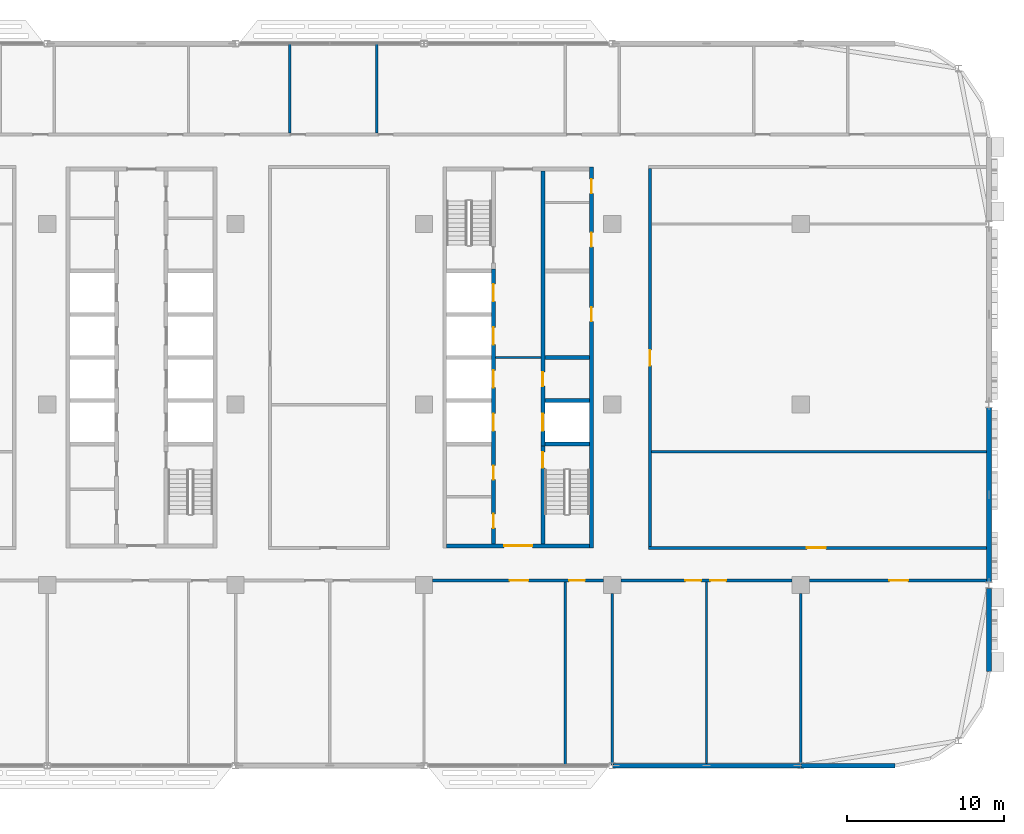
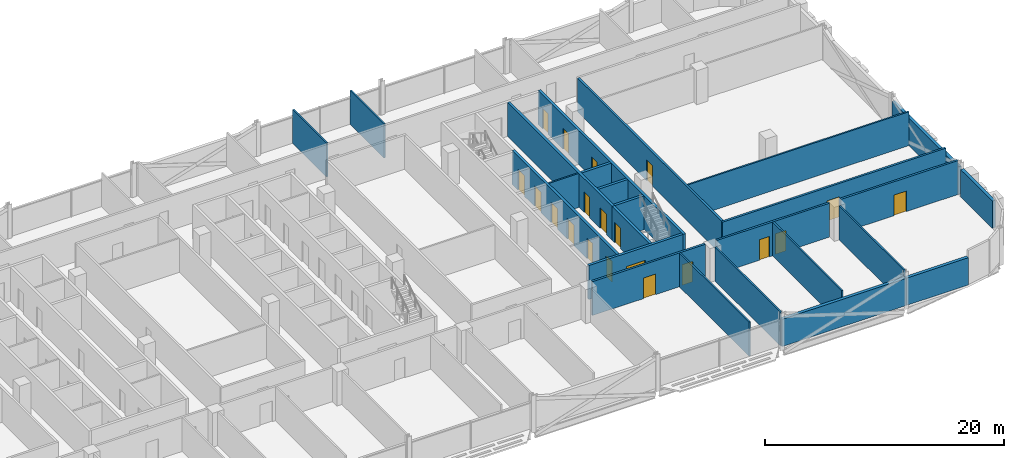
# One storey, part 17 of 29: 25 walls, 20 doors, 20 openings.
"""IFC4 building model written with IfcOpenShell, lengths in metres."""

import ifcopenshell
import ifcopenshell.guid

model = None  # the IFC model being written
_history = None  # IfcOwnerHistory: only IFC2X3 demands one
_inside = {}  # id of a spatial element -> (the spatial element, [elements in it])
_under = {}  # id of a project, library or spatial element -> (it, [spatial elements below it])
_declared = {}  # id of a project -> (the project, [libraries it declares])
_typed = {}  # id of a type object -> (the type object, [elements of that type])
_made_of = {}  # id of a material, layer set ... -> (it, [elements and type objects made of it])


def new_model(schema):
    """Start an empty IFC model of exactly this schema.

    Asked for "IFC4X3", IfcOpenShell would pick the latest addendum, in which some entities
    have other attributes; the version numbers below select the first issue.
    IFC2X3 requires an IfcOwnerHistory on every rooted entity: one is made here for all.
    """
    global model, _history
    if schema == "IFC4X3":
        model = ifcopenshell.file(schema_version=(4, 3, 0, 0))
    else:
        model = ifcopenshell.file(schema=schema)
    _inside.clear()
    _under.clear()
    _declared.clear()
    _typed.clear()
    _made_of.clear()
    _history = None
    if model.schema == "IFC2X3":
        org = make("IfcOrganization", Name="unknown")
        user = make(
            "IfcPersonAndOrganization",
            ThePerson=make("IfcPerson", FamilyName="unknown"),
            TheOrganization=org,
        )
        app = make(
            "IfcApplication",
            ApplicationDeveloper=org,
            Version="unknown",
            ApplicationFullName="unknown",
            ApplicationIdentifier="unknown",
        )
        _history = make(
            "IfcOwnerHistory",
            OwningUser=user,
            OwningApplication=app,
            ChangeAction="ADDED",
            CreationDate=0,
        )
    return model


def make(cls, **values):
    """One entity of the class cls with the attributes given. An attribute that is None is left unset."""
    return model.create_entity(
        cls, **{name: value for name, value in values.items() if value is not None}
    )


def rooted(cls, **values):
    """An entity with a GlobalId (a new one), such as an element, a storey or a relation."""
    return make(cls, GlobalId=ifcopenshell.guid.new(), OwnerHistory=_history, **values)


def si_unit(unit_type, name, prefix=None):
    """IfcSIUnit, for example si_unit("LENGTHUNIT", "METRE", prefix="MILLI")."""
    return make("IfcSIUnit", UnitType=unit_type, Prefix=prefix, Name=name)


def assignment(units):
    """IfcUnitAssignment: the units of a project."""
    return None if units is None else make("IfcUnitAssignment", Units=units)


def point(xyz):
    """IfcCartesianPoint."""
    return None if xyz is None else make("IfcCartesianPoint", Coordinates=xyz)


def direction(xyz):
    """IfcDirection."""
    return None if xyz is None else make("IfcDirection", DirectionRatios=xyz)


def frame(location, z_axis=None, x_axis=None):
    """IfcAxis2Placement3D, a coordinate frame: its origin and axes. An axis left out is left unset."""
    return make(
        "IfcAxis2Placement3D",
        Location=point(location),
        Axis=direction(z_axis),
        RefDirection=direction(x_axis),
    )


def frame_2d(location, x_axis=None):
    """IfcAxis2Placement2D, a coordinate frame in the plane: its origin and x axis."""
    return make(
        "IfcAxis2Placement2D", Location=point(location), RefDirection=direction(x_axis)
    )


def origin():
    """The frame at (0, 0, 0) with its axes left unset."""
    return frame((0.0, 0.0, 0.0))


def place(relative_to, where):
    """IfcLocalPlacement: puts the frame where relative to a parent placement (None: the world)."""
    return make(
        "IfcLocalPlacement", PlacementRelTo=relative_to, RelativePlacement=where
    )


def context(
    kind, dimensions, precision=None, world=None, true_north=None, identifier=None
):
    """IfcGeometricRepresentationContext, for example the 3D "Model" context."""
    return make(
        "IfcGeometricRepresentationContext",
        ContextIdentifier=identifier,
        ContextType=kind,
        CoordinateSpaceDimension=dimensions,
        Precision=precision,
        WorldCoordinateSystem=world,
        TrueNorth=true_north,
    )


def subcontext(parent, identifier, kind, view, scale=None):
    """IfcGeometricRepresentationSubContext, for example "Body" below "Model"."""
    return make(
        "IfcGeometricRepresentationSubContext",
        ContextIdentifier=identifier,
        ContextType=kind,
        ParentContext=parent,
        TargetScale=scale,
        TargetView=view,
    )


def project(units=None, contexts=None):
    """IfcProject with its units and contexts."""
    return rooted(
        "IfcProject",
        Name="project",
        RepresentationContexts=contexts,
        UnitsInContext=assignment(units),
    )


def spatial(cls, under=None, at=None, **own):
    """A site, building, storey or space (cls), placed at a placement, below another one or the project."""
    s = rooted(cls, ObjectPlacement=at, **own)
    if under is not None:
        _under.setdefault(under.id(), (under, []))[1].append(s)
    return s


def profile(cls, at=None, kind="AREA", **sizes):
    """A parametric profile (cls). Its sizes go by their IFC names, for example OverallWidth=200.0."""
    return make(cls, ProfileType=kind, Position=at, **sizes)


def rectangle(**sizes):
    """IfcRectangleProfileDef."""
    return profile("IfcRectangleProfileDef", **sizes)


def extrude(swept, where, along, depth):
    """IfcExtrudedAreaSolid: the profile swept, set in the frame where, extruded along a direction by depth."""
    return make(
        "IfcExtrudedAreaSolid",
        SweptArea=swept,
        Position=where,
        ExtrudedDirection=direction(along),
        Depth=depth,
    )


def shape(context_of_items, identifier, shape_type, items):
    """IfcShapeRepresentation: the items that make up one representation, for example the "Body"."""
    return make(
        "IfcShapeRepresentation",
        ContextOfItems=context_of_items,
        RepresentationIdentifier=identifier,
        RepresentationType=shape_type,
        Items=items,
    )


def material(Name=None, Category=None):
    """IfcMaterial."""
    return make("IfcMaterial", Name=Name, Category=Category)


def layer(
    of_material, thickness, ventilated=None, Name=None, Category=None, Priority=None
):
    """IfcMaterialLayer: one layer of a wall or slab, of a material (None: an air gap)."""
    return make(
        "IfcMaterialLayer",
        Material=of_material,
        LayerThickness=thickness,
        IsVentilated=ventilated,
        Name=Name,
        Category=Category,
        Priority=Priority,
    )


def layer_set(layers, Name=None):
    """IfcMaterialLayerSet."""
    return make("IfcMaterialLayerSet", MaterialLayers=layers, LayerSetName=Name)


def made_of(thing, what):
    """Note that an element or type object is made of a material, layer set ...; save() writes the relation."""
    if what is not None:
        _made_of.setdefault(what.id(), (what, []))[1].append(thing)
    return thing


def type_object(cls, material=None, **own):
    """A type object (cls), such as IfcWallType, which elements share."""
    return made_of(rooted(cls, **own), material)


def element(
    cls,
    number,
    at=None,
    inside=None,
    cuts=None,
    type_object=None,
    material=None,
    context=None,
    identifier="Body",
    shape_type=None,
    held_by="IfcProductDefinitionShape",
    body=None,
    shapes=None,
    **own,
):
    """One element of the class cls, such as IfcWall. Its Tag is "e" and its number.

    at: its placement. inside: the storey or other place that contains it. cuts: it is an
    opening in that element (IfcRelVoidsElement). A single representation is given by context,
    identifier, shape_type and body (its items); several are given by shapes. held_by: the class
    of the entity that holds the representations. save() writes the other relations.
    """
    e = rooted(cls, Tag="e%d" % number, ObjectPlacement=at, **own)
    if body is not None:
        shapes = [shape(context, identifier, shape_type, body)]
    if shapes is not None:
        e.Representation = make(held_by, Representations=shapes)
    if inside is not None:
        _inside.setdefault(inside.id(), (inside, []))[1].append(e)
    if cuts is not None:
        rooted(
            "IfcRelVoidsElement", RelatingBuildingElement=cuts, RelatedOpeningElement=e
        )
    if type_object is not None:
        _typed.setdefault(type_object.id(), (type_object, []))[1].append(e)
    return made_of(e, material)


def fill(opening, filler):
    """IfcRelFillsElement: the door or window that sits in an opening."""
    return rooted(
        "IfcRelFillsElement",
        RelatingOpeningElement=opening,
        RelatedBuildingElement=filler,
    )


def aggregate(whole, parts):
    """IfcRelAggregates: a whole, such as a stair, and the parts it consists of."""
    return rooted("IfcRelAggregates", RelatingObject=whole, RelatedObjects=parts)


def save(model, path):
    """Write the relations noted so far, then the file.

    IfcRelAggregates (storeys below a building ...), IfcRelContainedInSpatialStructure (elements
    in a storey), IfcRelDefinesByType, IfcRelAssociatesMaterial and IfcRelDeclares: one each for
    every whole, place, type object, material and project.
    """
    for whole, parts in _under.values():
        aggregate(whole, parts)
    for where, things in _inside.values():
        rooted(
            "IfcRelContainedInSpatialStructure",
            RelatedElements=things,
            RelatingStructure=where,
        )
    for kind, things in _typed.values():
        rooted("IfcRelDefinesByType", RelatedObjects=things, RelatingType=kind)
    for what, things in _made_of.values():
        rooted("IfcRelAssociatesMaterial", RelatedObjects=things, RelatingMaterial=what)
    for by, libraries in _declared.values():
        rooted("IfcRelDeclares", RelatingContext=by, RelatedDefinitions=libraries)
    model.write(path)


model = new_model("IFC4")

# Units and contexts
model_context = context("Model", 3, precision=1e-05, world=origin(), true_north=direction((0.0, 1.0)))
body_context = subcontext(model_context, "Body", "Model", "MODEL_VIEW")
ifc_project = project(units=[si_unit("LENGTHUNIT", "METRE"), si_unit("AREAUNIT", "SQUARE_METRE"), si_unit("VOLUMEUNIT", "CUBIC_METRE"), si_unit("PLANEANGLEUNIT", "RADIAN"), si_unit("MASSUNIT", "GRAM", prefix="KILO")], contexts=[model_context])

# Site, building, storey
site_placement = place(None, origin())
site = spatial("IfcSite", under=ifc_project, at=site_placement, CompositionType="ELEMENT")
building_placement = place(site_placement, origin())
building = spatial("IfcBuilding", under=site, at=building_placement, Name="Mahtab Terrace Research Tower", CompositionType="ELEMENT")
storey_placement = place(building_placement, frame((0.0, 0.0, 197.699951171875)))
storey = spatial("IfcBuildingStorey", under=building, at=storey_placement, Name="L47", CompositionType="ELEMENT", Elevation=197.699951171875)

# Wall
ifc_material_1 = material(Name="Gypsum board partition")
ifc_layer_1 = layer(ifc_material_1, 0.14990234375)
ifc_layer_set_1 = layer_set([ifc_layer_1], Name="Core partition 150")
wall_type_1 = type_object("IfcWallType", Name="Core partition 150", PredefinedType="PARTITIONING", material=ifc_layer_set_1)
wall_1_placement = place(storey_placement, frame((22.550048828125, 3.0, 0.0), z_axis=(0.0, 0.0, 1.0), x_axis=(1.0, 0.0, 0.0)))
element("IfcWall", 1, at=wall_1_placement, inside=storey, type_object=wall_type_1, Name="Core wall C ffl", PredefinedType="PARTITIONING", context=body_context, shape_type="SweptSolid", body=[
    extrude(rectangle(XDim=2.89990234375, YDim=0.14990234375, at=frame_2d((1.449951171875, 0.0))), origin(), (0.0, 0.0, 1.0), 3.4599609375),
])

# Wall, openings, doors
ifc_material_2 = material(Name="Concrete C70/85", Category="concrete")
ifc_layer_2 = layer(ifc_material_2, 0.25)
ifc_layer_set_2 = layer_set([ifc_layer_2], Name="Core wall 250")
wall_type_2 = type_object("IfcWallType", Name="Core wall 250", PredefinedType="SOLIDWALL", material=ifc_layer_set_2)
wall_2_placement = place(storey_placement, frame((28.675048828125, -9.125, 0.0), z_axis=(0.0, 0.0, 1.0), x_axis=(0.0, 1.0, 0.0)))
wall_2 = element("IfcWall", 2, at=wall_2_placement, inside=storey, type_object=wall_type_2, Name="Core wall C outerE", PredefinedType="SOLIDWALL", context=body_context, shape_type="SweptSolid", body=[
    extrude(rectangle(XDim=24.25, YDim=0.25, at=frame_2d((12.125, 0.0))), origin(), (0.0, 0.0, 1.0), 3.4599609375),
])
opening_1_placement = place(wall_2_placement, frame((14.425048828125, 0.0, 0.0)))
opening_1 = element("IfcOpeningElement", 3, at=opening_1_placement, cuts=wall_2, Name="Opening C-R2", PredefinedType="OPENING", context=body_context, shape_type="SweptSolid", body=[
    extrude(rectangle(XDim=0.89990234375, YDim=2.10009765625, at=frame_2d((0.449951171875, 1.050048828125))), frame((0.0, 0.135009765625, 0.0), z_axis=(0.0, -1.0, 0.0), x_axis=(1.0, 0.0, 0.0)), (0.0, 0.0, 1.0), 0.27001953125),
])
opening_2_placement = place(wall_2_placement, frame((19.175048828125, 0.0, 0.0)))
opening_2 = element("IfcOpeningElement", 4, at=opening_2_placement, cuts=wall_2, Name="Opening C-R5", PredefinedType="OPENING", context=body_context, shape_type="SweptSolid", body=[
    extrude(rectangle(XDim=0.89990234375, YDim=2.10009765625, at=frame_2d((0.449951171875, 1.050048828125))), frame((0.0, 0.135009765625, 0.0), z_axis=(0.0, -1.0, 0.0), x_axis=(1.0, 0.0, 0.0)), (0.0, 0.0, 1.0), 0.27001953125),
])
opening_3_placement = place(wall_2_placement, frame((22.58740234375, 0.0, 0.0)))
opening_3 = element("IfcOpeningElement", 5, at=opening_3_placement, cuts=wall_2, Name="Opening C-R6", PredefinedType="OPENING", context=body_context, shape_type="SweptSolid", body=[
    extrude(rectangle(XDim=0.89990234375, YDim=2.10009765625, at=frame_2d((0.449951171875, 1.050048828125))), frame((0.0, 0.135009765625, 0.0), z_axis=(0.0, -1.0, 0.0), x_axis=(1.0, 0.0, 0.0)), (0.0, 0.0, 1.0), 0.27001953125),
])
ifc_material_3 = material(Name="Steel fire door", Category="steel")
door_type_1 = type_object("IfcDoorType", Name="Room door 900x2100 1 HR", OperationType="NOTDEFINED", PredefinedType="DOOR", material=ifc_material_3)
door_1_placement = place(opening_1_placement, origin())
door_1 = element("IfcDoor", 6, at=door_1_placement, inside=storey, type_object=door_type_1, Name="Plant room door", OperationType="SINGLE_SWING_RIGHT", OverallHeight=2.10009765625, OverallWidth=0.89990234375, PredefinedType="DOOR", context=body_context, shape_type="SweptSolid", body=[
    extrude(rectangle(XDim=0.89990234375, YDim=2.10009765625, at=frame_2d((0.449951171875, 1.050048828125))), frame((0.0, 0.02490234375, 0.0), z_axis=(0.0, -1.0, 0.0), x_axis=(1.0, 0.0, 0.0)), (0.0, 0.0, 1.0), 0.050048828125),
])
fill(opening_1, door_1)
door_2_placement = place(opening_2_placement, origin())
door_2 = element("IfcDoor", 7, at=door_2_placement, inside=storey, type_object=door_type_1, Name="IT equipment room door", OperationType="SINGLE_SWING_LEFT", OverallHeight=2.10009765625, OverallWidth=0.89990234375, PredefinedType="DOOR", context=body_context, shape_type="SweptSolid", body=[
    extrude(rectangle(XDim=0.89990234375, YDim=2.10009765625, at=frame_2d((0.449951171875, 1.050048828125))), frame((0.0, 0.02490234375, 0.0), z_axis=(0.0, -1.0, 0.0), x_axis=(1.0, 0.0, 0.0)), (0.0, 0.0, 1.0), 0.050048828125),
])
fill(opening_2, door_2)
door_3_placement = place(opening_3_placement, origin())
door_3 = element("IfcDoor", 8, at=door_3_placement, inside=storey, type_object=door_type_1, Name="Electrical riser room door", OperationType="SINGLE_SWING_RIGHT", OverallHeight=2.10009765625, OverallWidth=0.89990234375, PredefinedType="DOOR", context=body_context, shape_type="SweptSolid", body=[
    extrude(rectangle(XDim=0.89990234375, YDim=2.10009765625, at=frame_2d((0.449951171875, 1.050048828125))), frame((0.0, 0.02490234375, 0.0), z_axis=(0.0, -1.0, 0.0), x_axis=(1.0, 0.0, 0.0)), (0.0, 0.0, 1.0), 0.050048828125),
])
fill(opening_3, door_3)

# Wall, opening, door
wall_3_placement = place(storey_placement, frame((28.550048828125, -9.0, 0.0), z_axis=(0.0, 0.0, 1.0), x_axis=(-1.0, 0.0, 0.0)))
wall_3 = element("IfcWall", 9, at=wall_3_placement, inside=storey, type_object=wall_type_2, Name="Core wall C endS", PredefinedType="SOLIDWALL", context=body_context, shape_type="SweptSolid", body=[
    extrude(rectangle(XDim=9.10009765625, YDim=0.25, at=frame_2d((4.550048828125, 0.0))), origin(), (0.0, 0.0, 1.0), 3.4599609375),
])
opening_4_placement = place(wall_3_placement, frame((3.64990234375, 0.0, 0.0)))
opening_4 = element("IfcOpeningElement", 10, at=opening_4_placement, cuts=wall_3, Name="Opening C-S1", PredefinedType="OPENING", context=body_context, shape_type="SweptSolid", body=[
    extrude(rectangle(XDim=1.800048828125, YDim=2.10009765625, at=frame_2d((0.89990234375, 1.050048828125))), frame((0.0, 0.135009765625, 0.0), z_axis=(0.0, -1.0, 0.0), x_axis=(1.0, 0.0, 0.0)), (0.0, 0.0, 1.0), 0.27001953125),
])
door_type_2 = type_object("IfcDoorType", Name="Lobby double door 1800x2100 1 HR", OperationType="DOUBLE_DOOR_SINGLE_SWING", PredefinedType="DOOR", material=ifc_material_3)
door_4_placement = place(opening_4_placement, origin())
door_4 = element("IfcDoor", 11, at=door_4_placement, inside=storey, type_object=door_type_2, Name="Core entrance door C S", OperationType="DOUBLE_DOOR_SINGLE_SWING", OverallHeight=2.10009765625, OverallWidth=1.800048828125, PredefinedType="DOOR", context=body_context, shape_type="SweptSolid", body=[
    extrude(rectangle(XDim=1.800048828125, YDim=2.10009765625, at=frame_2d((0.89990234375, 1.050048828125))), frame((0.0, 0.02490234375, 0.0), z_axis=(0.0, -1.0, 0.0), x_axis=(1.0, 0.0, 0.0)), (0.0, 0.0, 1.0), 0.050048828125),
])
fill(opening_4, door_4)

# Wall, openings, doors
wall_4_placement = place(storey_placement, frame((22.425048828125, -8.875, 0.0), z_axis=(0.0, 0.0, 1.0), x_axis=(0.0, 1.0, 0.0)))
wall_4 = element("IfcWall", 12, at=wall_4_placement, inside=storey, type_object=wall_type_2, Name="Core wall C innerWSL", PredefinedType="SOLIDWALL", context=body_context, shape_type="SweptSolid", body=[
    extrude(rectangle(XDim=17.5, YDim=0.25, at=frame_2d((8.75, 0.0))), origin(), (0.0, 0.0, 1.0), 3.4599609375),
])
opening_5_placement = place(wall_4_placement, frame((7.199951171875, 0.0, 0.0)))
opening_5 = element("IfcOpeningElement", 13, at=opening_5_placement, cuts=wall_4, Name="Opening LD17-L47", PredefinedType="OPENING", context=body_context, shape_type="SweptSolid", body=[
    extrude(rectangle(XDim=1.10009765625, YDim=2.10009765625, at=frame_2d((0.550048828125, 1.050048828125))), frame((0.0, 0.135009765625, 0.0), z_axis=(0.0, -1.0, 0.0), x_axis=(1.0, 0.0, 0.0)), (0.0, 0.0, 1.0), 0.27001953125),
])
opening_6_placement = place(wall_4_placement, frame((9.949951171875, 0.0, 0.0)))
opening_6 = element("IfcOpeningElement", 14, at=opening_6_placement, cuts=wall_4, Name="Opening LD18-L47", PredefinedType="OPENING", context=body_context, shape_type="SweptSolid", body=[
    extrude(rectangle(XDim=1.10009765625, YDim=2.10009765625, at=frame_2d((0.550048828125, 1.050048828125))), frame((0.0, 0.135009765625, 0.0), z_axis=(0.0, -1.0, 0.0), x_axis=(1.0, 0.0, 0.0)), (0.0, 0.0, 1.0), 0.27001953125),
])
opening_7_placement = place(wall_4_placement, frame((12.699951171875, 0.0, 0.0)))
opening_7 = element("IfcOpeningElement", 15, at=opening_7_placement, cuts=wall_4, Name="Opening LD19-L47", PredefinedType="OPENING", context=body_context, shape_type="SweptSolid", body=[
    extrude(rectangle(XDim=1.10009765625, YDim=2.10009765625, at=frame_2d((0.550048828125, 1.050048828125))), frame((0.0, 0.135009765625, 0.0), z_axis=(0.0, -1.0, 0.0), x_axis=(1.0, 0.0, 0.0)), (0.0, 0.0, 1.0), 0.27001953125),
])
opening_8_placement = place(wall_4_placement, frame((15.449951171875, 0.0, 0.0)))
opening_8 = element("IfcOpeningElement", 16, at=opening_8_placement, cuts=wall_4, Name="Opening LD20-L47", PredefinedType="OPENING", context=body_context, shape_type="SweptSolid", body=[
    extrude(rectangle(XDim=1.10009765625, YDim=2.10009765625, at=frame_2d((0.550048828125, 1.050048828125))), frame((0.0, 0.135009765625, 0.0), z_axis=(0.0, -1.0, 0.0), x_axis=(1.0, 0.0, 0.0)), (0.0, 0.0, 1.0), 0.27001953125),
])
opening_9_placement = place(wall_4_placement, frame((1.012451171875, 0.0, 0.0)))
opening_9 = element("IfcOpeningElement", 17, at=opening_9_placement, cuts=wall_4, Name="Opening C-R3", PredefinedType="OPENING", context=body_context, shape_type="SweptSolid", body=[
    extrude(rectangle(XDim=0.89990234375, YDim=2.10009765625, at=frame_2d((0.449951171875, 1.050048828125))), frame((0.0, 0.135009765625, 0.0), z_axis=(0.0, -1.0, 0.0), x_axis=(1.0, 0.0, 0.0)), (0.0, 0.0, 1.0), 0.27001953125),
])
opening_10_placement = place(wall_4_placement, frame((4.08740234375, 0.0, 0.0)))
opening_10 = element("IfcOpeningElement", 18, at=opening_10_placement, cuts=wall_4, Name="Opening C-R4", PredefinedType="OPENING", context=body_context, shape_type="SweptSolid", body=[
    extrude(rectangle(XDim=0.89990234375, YDim=2.10009765625, at=frame_2d((0.449951171875, 1.050048828125))), frame((0.0, 0.135009765625, 0.0), z_axis=(0.0, -1.0, 0.0), x_axis=(1.0, 0.0, 0.0)), (0.0, 0.0, 1.0), 0.27001953125),
])
ifc_material_4 = material(Name="Stainless steel AISI 304", Category="steel")
door_type_3 = type_object("IfcDoorType", Name="Landing door 1100x2100", OperationType="DOUBLE_DOOR_SLIDING", PredefinedType="DOOR", material=ifc_material_4)
door_5_placement = place(opening_5_placement, origin())
door_5 = element("IfcDoor", 19, at=door_5_placement, inside=storey, type_object=door_type_3, Name="Landing door SV1 L47", OperationType="DOUBLE_DOOR_SLIDING", OverallHeight=2.10009765625, OverallWidth=1.10009765625, PredefinedType="DOOR", context=body_context, shape_type="SweptSolid", body=[
    extrude(rectangle(XDim=1.10009765625, YDim=2.10009765625, at=frame_2d((0.550048828125, 1.050048828125))), frame((0.0, 0.02490234375, 0.0), z_axis=(0.0, -1.0, 0.0), x_axis=(1.0, 0.0, 0.0)), (0.0, 0.0, 1.0), 0.050048828125),
])
fill(opening_5, door_5)
door_6_placement = place(opening_6_placement, origin())
door_6 = element("IfcDoor", 20, at=door_6_placement, inside=storey, type_object=door_type_3, Name="Landing door SV2 L47", OperationType="DOUBLE_DOOR_SLIDING", OverallHeight=2.10009765625, OverallWidth=1.10009765625, PredefinedType="DOOR", context=body_context, shape_type="SweptSolid", body=[
    extrude(rectangle(XDim=1.10009765625, YDim=2.10009765625, at=frame_2d((0.550048828125, 1.050048828125))), frame((0.0, 0.02490234375, 0.0), z_axis=(0.0, -1.0, 0.0), x_axis=(1.0, 0.0, 0.0)), (0.0, 0.0, 1.0), 0.050048828125),
])
fill(opening_6, door_6)
door_7_placement = place(opening_7_placement, origin())
door_7 = element("IfcDoor", 21, at=door_7_placement, inside=storey, type_object=door_type_3, Name="Landing door FF1 L47", OperationType="DOUBLE_DOOR_SLIDING", OverallHeight=2.10009765625, OverallWidth=1.10009765625, PredefinedType="DOOR", context=body_context, shape_type="SweptSolid", body=[
    extrude(rectangle(XDim=1.10009765625, YDim=2.10009765625, at=frame_2d((0.550048828125, 1.050048828125))), frame((0.0, 0.02490234375, 0.0), z_axis=(0.0, -1.0, 0.0), x_axis=(1.0, 0.0, 0.0)), (0.0, 0.0, 1.0), 0.050048828125),
])
fill(opening_7, door_7)
door_8_placement = place(opening_8_placement, origin())
door_8 = element("IfcDoor", 22, at=door_8_placement, inside=storey, type_object=door_type_3, Name="Landing door FF2 L47", OperationType="DOUBLE_DOOR_SLIDING", OverallHeight=2.10009765625, OverallWidth=1.10009765625, PredefinedType="DOOR", context=body_context, shape_type="SweptSolid", body=[
    extrude(rectangle(XDim=1.10009765625, YDim=2.10009765625, at=frame_2d((0.550048828125, 1.050048828125))), frame((0.0, 0.02490234375, 0.0), z_axis=(0.0, -1.0, 0.0), x_axis=(1.0, 0.0, 0.0)), (0.0, 0.0, 1.0), 0.050048828125),
])
fill(opening_8, door_8)
door_9_placement = place(opening_9_placement, origin())
door_9 = element("IfcDoor", 23, at=door_9_placement, inside=storey, type_object=door_type_1, Name="Staff WC door", OperationType="SINGLE_SWING_LEFT", OverallHeight=2.10009765625, OverallWidth=0.89990234375, PredefinedType="DOOR", context=body_context, shape_type="SweptSolid", body=[
    extrude(rectangle(XDim=0.89990234375, YDim=2.10009765625, at=frame_2d((0.449951171875, 1.050048828125))), frame((0.0, 0.02490234375, 0.0), z_axis=(0.0, -1.0, 0.0), x_axis=(1.0, 0.0, 0.0)), (0.0, 0.0, 1.0), 0.050048828125),
])
fill(opening_9, door_9)
door_10_placement = place(opening_10_placement, origin())
door_10 = element("IfcDoor", 24, at=door_10_placement, inside=storey, type_object=door_type_1, Name="Accessible WC door", OperationType="SINGLE_SWING_RIGHT", OverallHeight=2.10009765625, OverallWidth=0.89990234375, PredefinedType="DOOR", context=body_context, shape_type="SweptSolid", body=[
    extrude(rectangle(XDim=0.89990234375, YDim=2.10009765625, at=frame_2d((0.449951171875, 1.050048828125))), frame((0.0, 0.02490234375, 0.0), z_axis=(0.0, -1.0, 0.0), x_axis=(1.0, 0.0, 0.0)), (0.0, 0.0, 1.0), 0.050048828125),
])
fill(opening_10, door_10)

# Wall, opening, door
wall_5_placement = place(storey_placement, frame((25.574951171875, -8.875, 0.0), z_axis=(0.0, 0.0, 1.0), x_axis=(0.0, 1.0, 0.0)))
wall_5 = element("IfcWall", 25, at=wall_5_placement, inside=storey, type_object=wall_type_2, Name="Core wall C innerES", PredefinedType="SOLIDWALL", context=body_context, shape_type="SweptSolid", body=[
    extrude(rectangle(XDim=6.25, YDim=0.25, at=frame_2d((3.125, 0.0))), origin(), (0.0, 0.0, 1.0), 3.4599609375),
])
opening_11_placement = place(wall_5_placement, frame((4.85009765625, 0.0, 0.0)))
opening_11 = element("IfcOpeningElement", 26, at=opening_11_placement, cuts=wall_5, Name="Opening C-ST4", PredefinedType="OPENING", context=body_context, shape_type="SweptSolid", body=[
    extrude(rectangle(XDim=1.0, YDim=2.10009765625, at=frame_2d((0.5, 1.050048828125))), frame((0.0, 0.135009765625, 0.0), z_axis=(0.0, -1.0, 0.0), x_axis=(1.0, 0.0, 0.0)), (0.0, 0.0, 1.0), 0.27001953125),
])
door_type_4 = type_object("IfcDoorType", Name="Stair door 1000x2100 1.5 HR", OperationType="NOTDEFINED", PredefinedType="DOOR", material=ifc_material_3)
door_11_placement = place(opening_11_placement, origin())
door_11 = element("IfcDoor", 27, at=door_11_placement, inside=storey, type_object=door_type_4, Name="Stair door ST4 L47", OperationType="SINGLE_SWING_RIGHT", OverallHeight=2.10009765625, OverallWidth=1.0, PredefinedType="DOOR", context=body_context, shape_type="SweptSolid", body=[
    extrude(rectangle(XDim=1.0, YDim=2.10009765625, at=frame_2d((0.5, 1.050048828125))), frame((0.0, 0.02490234375, 0.0), z_axis=(0.0, -1.0, 0.0), x_axis=(1.0, 0.0, 0.0)), (0.0, 0.0, 1.0), 0.050048828125),
])
fill(opening_11, door_11)

# Wall, openings, doors
wall_6_placement = place(storey_placement, frame((25.574951171875, 14.875, 0.0), z_axis=(0.0, 0.0, 1.0), x_axis=(0.0, -1.0, 0.0)))
wall_6 = element("IfcWall", 28, at=wall_6_placement, inside=storey, type_object=wall_type_2, Name="Core wall C innerELN", PredefinedType="SOLIDWALL", context=body_context, shape_type="SweptSolid", body=[
    extrude(rectangle(XDim=17.5, YDim=0.25, at=frame_2d((8.75, 0.0))), origin(), (0.0, 0.0, 1.0), 3.4599609375),
])
opening_12_placement = place(wall_6_placement, frame((15.449951171875, 0.0, 0.0)))
opening_12 = element("IfcOpeningElement", 29, at=opening_12_placement, cuts=wall_6, Name="Opening LD21-L47", PredefinedType="OPENING", context=body_context, shape_type="SweptSolid", body=[
    extrude(rectangle(XDim=1.10009765625, YDim=2.10009765625, at=frame_2d((0.550048828125, 1.050048828125))), frame((0.0, 0.135009765625, 0.0), z_axis=(0.0, -1.0, 0.0), x_axis=(1.0, 0.0, 0.0)), (0.0, 0.0, 1.0), 0.27001953125),
])
opening_13_placement = place(wall_6_placement, frame((12.800048828125, 0.0, 0.0)))
opening_13 = element("IfcOpeningElement", 30, at=opening_13_placement, cuts=wall_6, Name="Opening C-R1", PredefinedType="OPENING", context=body_context, shape_type="SweptSolid", body=[
    extrude(rectangle(XDim=0.89990234375, YDim=2.10009765625, at=frame_2d((0.449951171875, 1.050048828125))), frame((0.0, 0.135009765625, 0.0), z_axis=(0.0, -1.0, 0.0), x_axis=(1.0, 0.0, 0.0)), (0.0, 0.0, 1.0), 0.27001953125),
])
door_12_placement = place(opening_12_placement, origin())
door_12 = element("IfcDoor", 31, at=door_12_placement, inside=storey, type_object=door_type_3, Name="Landing door SV3 L47", OperationType="DOUBLE_DOOR_SLIDING", OverallHeight=2.10009765625, OverallWidth=1.10009765625, PredefinedType="DOOR", context=body_context, shape_type="SweptSolid", body=[
    extrude(rectangle(XDim=1.10009765625, YDim=2.10009765625, at=frame_2d((0.550048828125, 1.050048828125))), frame((0.0, 0.02490234375, 0.0), z_axis=(0.0, -1.0, 0.0), x_axis=(1.0, 0.0, 0.0)), (0.0, 0.0, 1.0), 0.050048828125),
])
fill(opening_12, door_12)
door_13_placement = place(opening_13_placement, origin())
door_13 = element("IfcDoor", 32, at=door_13_placement, inside=storey, type_object=door_type_1, Name="Plant room door", OperationType="SINGLE_SWING_LEFT", OverallHeight=2.10009765625, OverallWidth=0.89990234375, PredefinedType="DOOR", context=body_context, shape_type="SweptSolid", body=[
    extrude(rectangle(XDim=0.89990234375, YDim=2.10009765625, at=frame_2d((0.449951171875, 1.050048828125))), frame((0.0, 0.02490234375, 0.0), z_axis=(0.0, -1.0, 0.0), x_axis=(1.0, 0.0, 0.0)), (0.0, 0.0, 1.0), 0.050048828125),
])
fill(opening_13, door_13)

# Walls
for number, where, z_axis, x_axis, name in (
    (33, (25.699951171875, -2.5, 0.0), (0.0, 0.0, 1.0), (1.0, 0.0, 0.0), "Core wall C divE0"),
    (34, (25.699951171875, 0.25, 0.0), (0.0, 0.0, 1.0), (1.0, 0.0, 0.0), "Core wall C divE1"),
    (35, (25.699951171875, 3.0, 0.0), (0.0, 0.0, 1.0), (1.0, 0.0, 0.0), "Core wall C divE2"),
):
    element("IfcWall", number, at=place(storey_placement, frame(where, z_axis=z_axis, x_axis=x_axis)), inside=storey, type_object=wall_type_2, Name=name, PredefinedType="SOLIDWALL", context=body_context, shape_type="SweptSolid", body=[
        extrude(rectangle(XDim=2.85009765625, YDim=0.25, at=frame_2d((1.425048828125, 0.0))), origin(), (0.0, 0.0, 1.0), 3.4599609375),
    ])
ifc_material_5 = material(Name="Black aluminium cladding panel", Category="aluminium")
ifc_layer_3 = layer(ifc_material_5, 0.300048828125)
ifc_layer_set_3 = layer_set([ifc_layer_3], Name="Opaque facade wall 300")
wall_type_3 = type_object("IfcWallType", Name="Opaque facade wall 300", PredefinedType="NOTDEFINED", material=ifc_layer_set_3)
wall_7_placement = place(storey_placement, frame((30.012451171875, -23.0, 0.0), z_axis=(0.0, 0.0, 1.0), x_axis=(1.0, 0.0, 0.0)))
element("IfcWall", 36, at=wall_7_placement, inside=storey, type_object=wall_type_3, Name="Opaque facade wall L47 S29", PredefinedType="NOTDEFINED", context=body_context, shape_type="SweptSolid", body=[
    extrude(rectangle(XDim=11.97509765625, YDim=0.300048828125, at=frame_2d((5.987548828125, 0.0))), origin(), (0.0, 0.0, 1.0), 2.78173828125),
])
wall_8_placement = place(storey_placement, frame((42.012451171875, -23.0, 0.0), z_axis=(0.0, 0.0, 1.0), x_axis=(1.0, 0.0, 0.0)))
element("IfcWall", 37, at=wall_8_placement, inside=storey, type_object=wall_type_3, Name="Opaque facade wall L47 S30", PredefinedType="NOTDEFINED", context=body_context, shape_type="SweptSolid", body=[
    extrude(rectangle(XDim=5.987548828125, YDim=0.300048828125, at=frame_2d((2.99365234375, 0.0))), origin(), (0.0, 0.0, 1.0), 2.78173828125),
])
wall_9_placement = place(storey_placement, frame((54.0, -17.0, 0.0), z_axis=(0.0, 0.0, 1.0), x_axis=(0.0, 1.0, 0.0)))
element("IfcWall", 38, at=wall_9_placement, inside=storey, type_object=wall_type_3, Name="Opaque facade wall L47 E35", PredefinedType="NOTDEFINED", context=body_context, shape_type="SweptSolid", body=[
    extrude(rectangle(XDim=5.300048828125, YDim=0.300048828125, at=frame_2d((2.64990234375, 0.0))), origin(), (0.0, 0.0, 1.0), 2.78173828125),
])
wall_10_placement = place(storey_placement, frame((54.0, -11.300048828125, 0.0), z_axis=(0.0, 0.0, 1.0), x_axis=(0.0, 1.0, 0.0)))
element("IfcWall", 39, at=wall_10_placement, inside=storey, type_object=wall_type_3, Name="Opaque facade wall L47 E36", PredefinedType="NOTDEFINED", context=body_context, shape_type="SweptSolid", body=[
    extrude(rectangle(XDim=11.10009765625, YDim=0.300048828125, at=frame_2d((5.550048828125, 0.0))), origin(), (0.0, 0.0, 1.0), 2.78173828125),
])

# Wall, openings, doors
ifc_material_6 = material(Name="Gypsum board corridor wall on steel studs", Category="steel")
ifc_layer_4 = layer(ifc_material_6, 0.199951171875)
ifc_layer_set_4 = layer_set([ifc_layer_4], Name="WALL CORRIDOR 200")
wall_type_4 = type_object("IfcWallType", Name="WALL CORRIDOR 200", PredefinedType="PARTITIONING", material=ifc_layer_set_4)
wall_11_placement = place(storey_placement, frame((18.550048828125, -11.199951171875, 0.0), z_axis=(0.0, 0.0, 1.0), x_axis=(1.0, 0.0, 0.0)))
wall_11 = element("IfcWall", 40, at=wall_11_placement, inside=storey, type_object=wall_type_4, Name="L47-W006", PredefinedType="PARTITIONING", context=body_context, shape_type="SweptSolid", body=[
    extrude(rectangle(XDim=10.89990234375, YDim=0.199951171875, at=frame_2d((5.449951171875, 0.0))), origin(), (0.0, 0.0, 1.0), 3.4599609375),
])
opening_14_placement = place(wall_11_placement, frame((4.89990234375, 0.0, 0.0)))
opening_14 = element("IfcOpeningElement", 41, at=opening_14_placement, cuts=wall_11, Name="Opening L47-111", PredefinedType="OPENING", context=body_context, shape_type="SweptSolid", body=[
    extrude(rectangle(XDim=1.199951171875, YDim=2.10009765625, at=frame_2d((0.60009765625, 1.050048828125))), frame((0.0, 0.10986328125, 0.0), z_axis=(0.0, -1.0, 0.0), x_axis=(1.0, 0.0, 0.0)), (0.0, 0.0, 1.0), 0.219970703125),
])
opening_15_placement = place(wall_11_placement, frame((8.699951171875, 0.0, 0.0)))
opening_15 = element("IfcOpeningElement", 42, at=opening_15_placement, cuts=wall_11, Name="Opening L47-112", PredefinedType="OPENING", context=body_context, shape_type="SweptSolid", body=[
    extrude(rectangle(XDim=1.0, YDim=2.10009765625, at=frame_2d((0.5, 1.050048828125))), frame((0.0, 0.10986328125, 0.0), z_axis=(0.0, -1.0, 0.0), x_axis=(1.0, 0.0, 0.0)), (0.0, 0.0, 1.0), 0.219970703125),
])
ifc_material_7 = material(Name="Timber door leaf in steel frame", Category="steel")
door_type_5 = type_object("IfcDoorType", Name="DOOR 1000X2100 FD30S", OperationType="SINGLE_SWING_LEFT", PredefinedType="DOOR", material=ifc_material_7)
door_14_placement = place(opening_15_placement, origin())
door_14 = element("IfcDoor", 43, at=door_14_placement, inside=storey, type_object=door_type_5, Name="Door L47-112", OperationType="SINGLE_SWING_LEFT", OverallHeight=2.10009765625, OverallWidth=1.0, PredefinedType="DOOR", context=body_context, shape_type="SweptSolid", body=[
    extrude(rectangle(XDim=1.0, YDim=2.10009765625, at=frame_2d((0.5, 1.050048828125))), frame((0.0, 0.02490234375, 0.0), z_axis=(0.0, -1.0, 0.0), x_axis=(1.0, 0.0, 0.0)), (0.0, 0.0, 1.0), 0.050048828125),
])
fill(opening_15, door_14)
door_type_6 = type_object("IfcDoorType", Name="DOOR 1200X2100 FD30S", OperationType="SINGLE_SWING_LEFT", PredefinedType="DOOR", material=ifc_material_7)
door_15_placement = place(opening_14_placement, origin())
door_15 = element("IfcDoor", 44, at=door_15_placement, inside=storey, type_object=door_type_6, Name="Door L47-111", OperationType="SINGLE_SWING_LEFT", OverallHeight=2.10009765625, OverallWidth=1.199951171875, PredefinedType="DOOR", context=body_context, shape_type="SweptSolid", body=[
    extrude(rectangle(XDim=1.199951171875, YDim=2.10009765625, at=frame_2d((0.60009765625, 1.050048828125))), frame((0.0, 0.02490234375, 0.0), z_axis=(0.0, -1.0, 0.0), x_axis=(1.0, 0.0, 0.0)), (0.0, 0.0, 1.0), 0.050048828125),
])
fill(opening_14, door_15)

wall_12_placement = place(storey_placement, frame((30.550048828125, -11.199951171875, 0.0), z_axis=(0.0, 0.0, 1.0), x_axis=(1.0, 0.0, 0.0)))
wall_12 = element("IfcWall", 45, at=wall_12_placement, inside=storey, type_object=wall_type_4, Name="L47-W007", PredefinedType="PARTITIONING", context=body_context, shape_type="SweptSolid", body=[
    extrude(rectangle(XDim=10.89990234375, YDim=0.199951171875, at=frame_2d((5.449951171875, 0.0))), origin(), (0.0, 0.0, 1.0), 3.4599609375),
])
opening_16_placement = place(wall_12_placement, frame((4.10009765625, 0.0, 0.0)))
opening_16 = element("IfcOpeningElement", 46, at=opening_16_placement, cuts=wall_12, Name="Opening L47-113", PredefinedType="OPENING", context=body_context, shape_type="SweptSolid", body=[
    extrude(rectangle(XDim=1.0, YDim=2.10009765625, at=frame_2d((0.5, 1.050048828125))), frame((0.0, 0.10986328125, 0.0), z_axis=(0.0, -1.0, 0.0), x_axis=(1.0, 0.0, 0.0)), (0.0, 0.0, 1.0), 0.219970703125),
])
opening_17_placement = place(wall_12_placement, frame((5.699951171875, 0.0, 0.0)))
opening_17 = element("IfcOpeningElement", 47, at=opening_17_placement, cuts=wall_12, Name="Opening L47-114", PredefinedType="OPENING", context=body_context, shape_type="SweptSolid", body=[
    extrude(rectangle(XDim=1.0, YDim=2.10009765625, at=frame_2d((0.5, 1.050048828125))), frame((0.0, 0.10986328125, 0.0), z_axis=(0.0, -1.0, 0.0), x_axis=(1.0, 0.0, 0.0)), (0.0, 0.0, 1.0), 0.219970703125),
])
door_16_placement = place(opening_16_placement, origin())
door_16 = element("IfcDoor", 48, at=door_16_placement, inside=storey, type_object=door_type_5, Name="Door L47-113", OperationType="SINGLE_SWING_RIGHT", OverallHeight=2.10009765625, OverallWidth=1.0, PredefinedType="DOOR", context=body_context, shape_type="SweptSolid", body=[
    extrude(rectangle(XDim=1.0, YDim=2.10009765625, at=frame_2d((0.5, 1.050048828125))), frame((0.0, 0.02490234375, 0.0), z_axis=(0.0, -1.0, 0.0), x_axis=(1.0, 0.0, 0.0)), (0.0, 0.0, 1.0), 0.050048828125),
])
fill(opening_16, door_16)
door_17_placement = place(opening_17_placement, origin())
door_17 = element("IfcDoor", 49, at=door_17_placement, inside=storey, type_object=door_type_5, Name="Door L47-114", OperationType="SINGLE_SWING_LEFT", OverallHeight=2.10009765625, OverallWidth=1.0, PredefinedType="DOOR", context=body_context, shape_type="SweptSolid", body=[
    extrude(rectangle(XDim=1.0, YDim=2.10009765625, at=frame_2d((0.5, 1.050048828125))), frame((0.0, 0.02490234375, 0.0), z_axis=(0.0, -1.0, 0.0), x_axis=(1.0, 0.0, 0.0)), (0.0, 0.0, 1.0), 0.050048828125),
])
fill(opening_17, door_17)

# Wall, opening, door
wall_13_placement = place(storey_placement, frame((42.550048828125, -11.199951171875, 0.0), z_axis=(0.0, 0.0, 1.0), x_axis=(1.0, 0.0, 0.0)))
wall_13 = element("IfcWall", 50, at=wall_13_placement, inside=storey, type_object=wall_type_4, Name="L47-W008", PredefinedType="PARTITIONING", context=body_context, shape_type="SweptSolid", body=[
    extrude(rectangle(XDim=11.300048828125, YDim=0.199951171875, at=frame_2d((5.64990234375, 0.0))), origin(), (0.0, 0.0, 1.0), 3.4599609375),
])
opening_18_placement = place(wall_13_placement, frame((5.10009765625, 0.0, 0.0)))
opening_18 = element("IfcOpeningElement", 51, at=opening_18_placement, cuts=wall_13, Name="Opening L47-115", PredefinedType="OPENING", context=body_context, shape_type="SweptSolid", body=[
    extrude(rectangle(XDim=1.199951171875, YDim=2.10009765625, at=frame_2d((0.60009765625, 1.050048828125))), frame((0.0, 0.10986328125, 0.0), z_axis=(0.0, -1.0, 0.0), x_axis=(1.0, 0.0, 0.0)), (0.0, 0.0, 1.0), 0.219970703125),
])
door_18_placement = place(opening_18_placement, origin())
door_18 = element("IfcDoor", 52, at=door_18_placement, inside=storey, type_object=door_type_6, Name="Door L47-115", OperationType="SINGLE_SWING_LEFT", OverallHeight=2.10009765625, OverallWidth=1.199951171875, PredefinedType="DOOR", context=body_context, shape_type="SweptSolid", body=[
    extrude(rectangle(XDim=1.199951171875, YDim=2.10009765625, at=frame_2d((0.60009765625, 1.050048828125))), frame((0.0, 0.02490234375, 0.0), z_axis=(0.0, -1.0, 0.0), x_axis=(1.0, 0.0, 0.0)), (0.0, 0.0, 1.0), 0.050048828125),
])
fill(opening_18, door_18)

wall_14_placement = place(storey_placement, frame((32.300048828125, -9.125, 0.0), z_axis=(0.0, 0.0, 1.0), x_axis=(1.0, 0.0, 0.0)))
wall_14 = element("IfcWall", 53, at=wall_14_placement, inside=storey, type_object=wall_type_4, Name="L47-W012", PredefinedType="PARTITIONING", context=body_context, shape_type="SweptSolid", body=[
    extrude(rectangle(XDim=21.550048828125, YDim=0.199951171875, at=frame_2d((10.77490234375, 0.0))), origin(), (0.0, 0.0, 1.0), 3.4599609375),
])
opening_19_placement = place(wall_14_placement, frame((10.10009765625, 0.0, 0.0)))
opening_19 = element("IfcOpeningElement", 54, at=opening_19_placement, cuts=wall_14, Name="Opening L47-117", PredefinedType="OPENING", context=body_context, shape_type="SweptSolid", body=[
    extrude(rectangle(XDim=1.199951171875, YDim=2.10009765625, at=frame_2d((0.60009765625, 1.050048828125))), frame((0.0, 0.10986328125, 0.0), z_axis=(0.0, -1.0, 0.0), x_axis=(1.0, 0.0, 0.0)), (0.0, 0.0, 1.0), 0.219970703125),
])
door_19_placement = place(opening_19_placement, origin())
door_19 = element("IfcDoor", 55, at=door_19_placement, inside=storey, type_object=door_type_6, Name="Door L47-117", OperationType="SINGLE_SWING_LEFT", OverallHeight=2.10009765625, OverallWidth=1.199951171875, PredefinedType="DOOR", context=body_context, shape_type="SweptSolid", body=[
    extrude(rectangle(XDim=1.199951171875, YDim=2.10009765625, at=frame_2d((0.60009765625, 1.050048828125))), frame((0.0, 0.02490234375, 0.0), z_axis=(0.0, -1.0, 0.0), x_axis=(1.0, 0.0, 0.0)), (0.0, 0.0, 1.0), 0.050048828125),
])
fill(opening_19, door_19)

wall_15_placement = place(storey_placement, frame((32.39990234375, -9.02490234375, 0.0), z_axis=(0.0, 0.0, 1.0), x_axis=(0.0, 1.0, 0.0)))
wall_15 = element("IfcWall", 56, at=wall_15_placement, inside=storey, type_object=wall_type_4, Name="L47-W052", PredefinedType="PARTITIONING", context=body_context, shape_type="SweptSolid", body=[
    extrude(rectangle(XDim=24.0498046875, YDim=0.199951171875, at=frame_2d((12.02490234375, 0.0))), origin(), (0.0, 0.0, 1.0), 3.4599609375),
])
opening_20_placement = place(wall_15_placement, frame((11.5, 0.0, 0.0)))
opening_20 = element("IfcOpeningElement", 57, at=opening_20_placement, cuts=wall_15, Name="Opening L47-121", PredefinedType="OPENING", context=body_context, shape_type="SweptSolid", body=[
    extrude(rectangle(XDim=1.0, YDim=2.10009765625, at=frame_2d((0.5, 1.050048828125))), frame((0.0, 0.10986328125, 0.0), z_axis=(0.0, -1.0, 0.0), x_axis=(1.0, 0.0, 0.0)), (0.0, 0.0, 1.0), 0.219970703125),
])
door_20_placement = place(opening_20_placement, origin())
door_20 = element("IfcDoor", 58, at=door_20_placement, inside=storey, type_object=door_type_5, Name="Door L47-121", OperationType="SINGLE_SWING_RIGHT", OverallHeight=2.10009765625, OverallWidth=1.0, PredefinedType="DOOR", context=body_context, shape_type="SweptSolid", body=[
    extrude(rectangle(XDim=1.0, YDim=2.10009765625, at=frame_2d((0.5, 1.050048828125))), frame((0.0, 0.02490234375, 0.0), z_axis=(0.0, -1.0, 0.0), x_axis=(1.0, 0.0, 0.0)), (0.0, 0.0, 1.0), 0.050048828125),
])
fill(opening_20, door_20)

# Walls
ifc_material_8 = material(Name="Gypsum board partition on steel studs", Category="steel")
ifc_layer_5 = layer(ifc_material_8, 0.14990234375)
ifc_layer_set_5 = layer_set([ifc_layer_5], Name="WALL PARTITION 150")
wall_type_5 = type_object("IfcWallType", Name="WALL PARTITION 150", PredefinedType="PARTITIONING", material=ifc_layer_set_5)
wall_16_placement = place(storey_placement, frame((32.5, -3.0, 0.0), z_axis=(0.0, 0.0, 1.0), x_axis=(1.0, 0.0, 0.0)))
element("IfcWall", 59, at=wall_16_placement, inside=storey, type_object=wall_type_5, Name="L47-W014", PredefinedType="PARTITIONING", context=body_context, shape_type="SweptSolid", body=[
    extrude(rectangle(XDim=21.35009765625, YDim=0.14990234375, at=frame_2d((10.675048828125, 0.0))), origin(), (0.0, 0.0, 1.0), 3.4599609375),
])
for number, where, z_axis, x_axis, name in (
    (60, (9.449951171875, 17.300048828125, 0.0), (0.0, 0.0, 1.0), (0.0, 1.0, 0.0), "L47-W043"),
    (61, (15.0, 17.300048828125, 0.0), (0.0, 0.0, 1.0), (0.0, 1.0, 0.0), "L47-W045"),
):
    element("IfcWall", number, at=place(storey_placement, frame(where, z_axis=z_axis, x_axis=x_axis)), inside=storey, type_object=wall_type_5, Name=name, PredefinedType="PARTITIONING", context=body_context, shape_type="SweptSolid", body=[
        extrude(rectangle(XDim=5.675048828125, YDim=0.14990234375, at=frame_2d((2.83740234375, 0.0))), origin(), (0.0, 0.0, 1.0), 3.4599609375),
    ])
wall_17_placement = place(storey_placement, frame((27.0, -22.97509765625, 0.0), z_axis=(0.0, 0.0, 1.0), x_axis=(0.0, 1.0, 0.0)))
element("IfcWall", 62, at=wall_17_placement, inside=storey, type_object=wall_type_5, Name="L47-W048", PredefinedType="PARTITIONING", context=body_context, shape_type="SweptSolid", body=[
    extrude(rectangle(XDim=11.675048828125, YDim=0.14990234375, at=frame_2d((5.83740234375, 0.0))), origin(), (0.0, 0.0, 1.0), 3.4599609375),
])
wall_18_placement = place(storey_placement, frame((30.0, -22.97509765625, 0.0), z_axis=(0.0, 0.0, 1.0), x_axis=(0.0, 1.0, 0.0)))
element("IfcWall", 63, at=wall_18_placement, inside=storey, type_object=wall_type_5, Name="L47-W050", PredefinedType="PARTITIONING", context=body_context, shape_type="SweptSolid", body=[
    extrude(rectangle(XDim=10.925048828125, YDim=0.14990234375, at=frame_2d((5.46240234375, 0.0))), origin(), (0.0, 0.0, 1.0), 3.4599609375),
])
wall_19_placement = place(storey_placement, frame((36.0, -22.85009765625, 0.0), z_axis=(0.0, 0.0, 1.0), x_axis=(0.0, 1.0, 0.0)))
element("IfcWall", 64, at=wall_19_placement, inside=storey, type_object=wall_type_5, Name="L47-W053", PredefinedType="PARTITIONING", context=body_context, shape_type="SweptSolid", body=[
    extrude(rectangle(XDim=11.550048828125, YDim=0.14990234375, at=frame_2d((5.77490234375, 0.0))), origin(), (0.0, 0.0, 1.0), 3.4599609375),
])
wall_20_placement = place(storey_placement, frame((42.0, -22.85009765625, 0.0), z_axis=(0.0, 0.0, 1.0), x_axis=(0.0, 1.0, 0.0)))
element("IfcWall", 65, at=wall_20_placement, inside=storey, type_object=wall_type_5, Name="L47-W055", PredefinedType="PARTITIONING", context=body_context, shape_type="SweptSolid", body=[
    extrude(rectangle(XDim=10.800048828125, YDim=0.14990234375, at=frame_2d((5.39990234375, 0.0))), origin(), (0.0, 0.0, 1.0), 3.4599609375),
])

save(model, "model.ifc")
